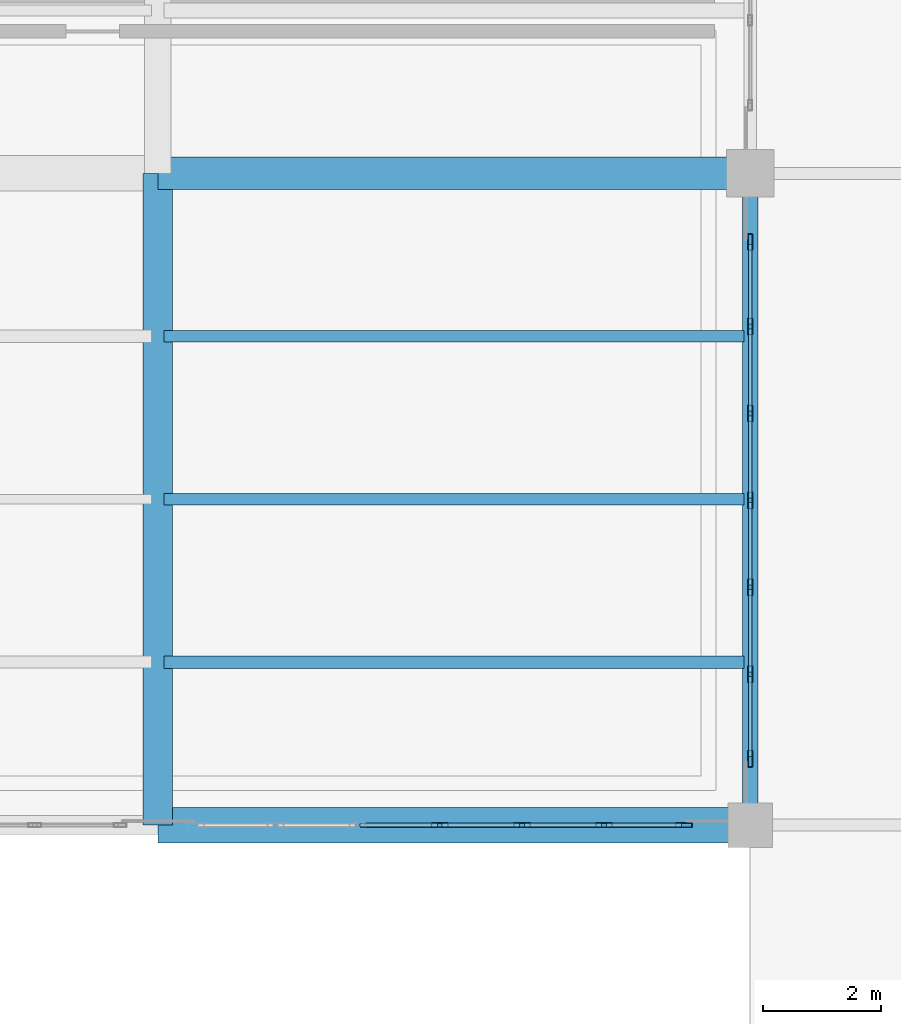
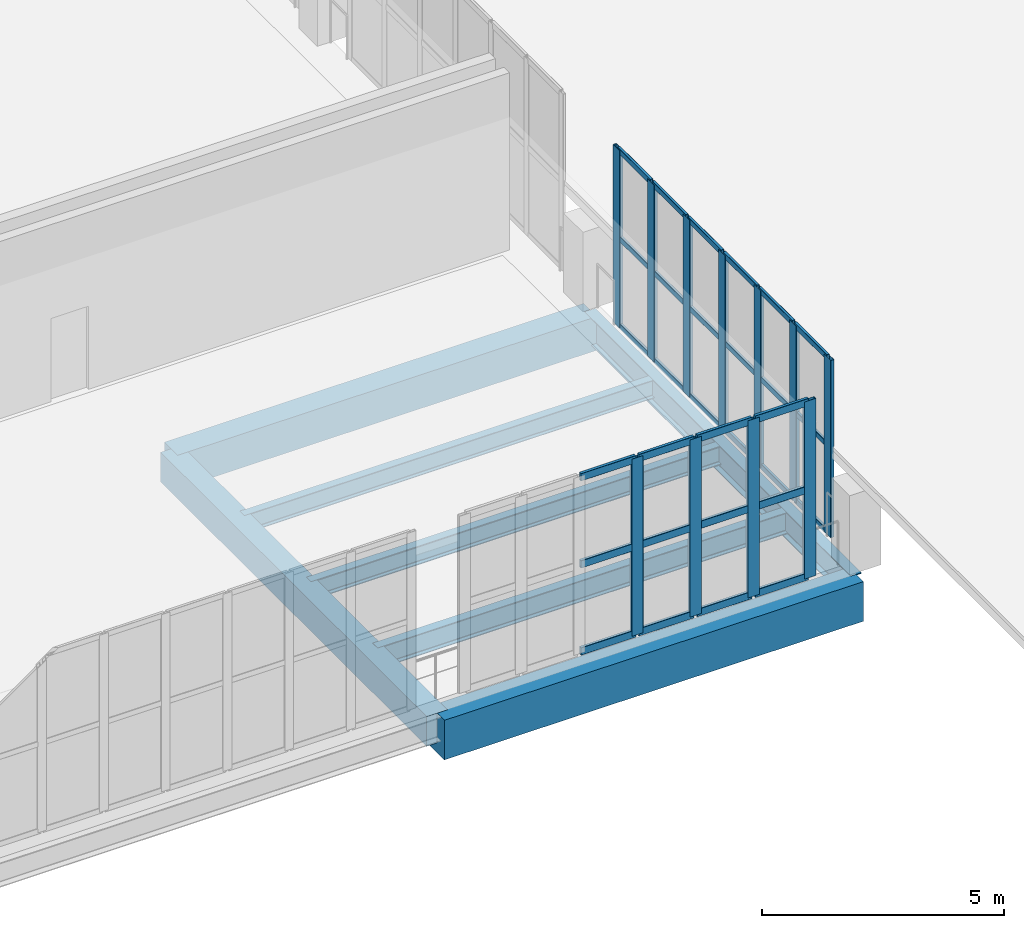
# One storey, part 64 of 136: 41 members, 7 beams, 2 elements without a shape of their own.
"""IFC4 building model written with IfcOpenShell, lengths in metres."""

from ifc_helpers import new_model, si_unit, direction, frame, origin, origin_2d, place, context, subcontext, project, spatial, rectangle, hollow_rectangle, i_section, extrude, material, layer, layer_set, material_profile, profile_set, type_object, element, aggregate, save


model = new_model("IFC4")

# Units and contexts
model_context = context("Model", 3, precision=1e-05, world=origin(), true_north=direction((0.0, 1.0)))
body_context = subcontext(model_context, "Body", "Model", "MODEL_VIEW")
ifc_project = project(units=[si_unit("LENGTHUNIT", "METRE"), si_unit("AREAUNIT", "SQUARE_METRE"), si_unit("VOLUMEUNIT", "CUBIC_METRE"), si_unit("PLANEANGLEUNIT", "RADIAN"), si_unit("MASSUNIT", "GRAM", prefix="KILO")], contexts=[model_context])

# Site, building, storey
site_placement = place(None, origin())
site = spatial("IfcSite", under=ifc_project, at=site_placement, CompositionType="ELEMENT")
building_placement = place(site_placement, origin())
building = spatial("IfcBuilding", under=site, at=building_placement, Name="Brinegate Civic Arena", CompositionType="ELEMENT")
storey_placement = place(building_placement, frame((0.0, 0.0, 5.39990234375)))
storey = spatial("IfcBuildingStorey", under=building, at=storey_placement, Name="L01", CompositionType="ELEMENT", Elevation=5.39990234375)

# Curtain wall, members
ifc_material_1 = material(Name="Marine grade aluminium", Category="aluminium")
ifc_layer = layer(ifc_material_1, 0.18505859375, Name="Marine grade aluminium")
ifc_layer_set = layer_set([ifc_layer], Name="Marine grade aluminium")
curtain_wall_type = type_object("IfcCurtainWallType", Name="CW-WING-GLAZED-03", PredefinedType="USERDEFINED", material=ifc_layer_set)
curtain_wall_1_placement = place(storey_placement, origin())
curtain_wall_1 = element("IfcCurtainWall", 1, at=curtain_wall_1_placement, inside=storey, type_object=curtain_wall_type, Name="Curtain Wall CWA-033", ObjectType="GLAZED CURTAIN WALL", PredefinedType="USERDEFINED")
ifc_material_profile_1 = material_profile(ifc_material_1, hollow_rectangle(XDim=0.080078125, YDim=0.280029296875, WallThickness=0.007080078125, InnerFilletRadius=0.0048828125, OuterFilletRadius=0.010009765625, at=origin_2d()), Name="MUL80X280")
ifc_profile_set_1 = profile_set([ifc_material_profile_1], Name="Marine grade aluminium")
member_type_1 = type_object("IfcMemberType", Name="CW-MULLION-80X280", PredefinedType="MULLION", material=ifc_profile_set_1)
member_1_placement = place(storey_placement, frame((190.0, 21.1201171875, 0.0), z_axis=(0.0, 0.0, 1.0), x_axis=(-1.0, 0.0, 0.0)))
member_1 = element("IfcMember", 2, at=member_1_placement, type_object=member_type_1, Name="CWA-033 mullion 1", PredefinedType="MULLION", context=body_context, shape_type="SweptSolid", body=[
    extrude(hollow_rectangle(XDim=0.080078125, YDim=0.280029296875, WallThickness=0.007080078125, InnerFilletRadius=0.0048828125, OuterFilletRadius=0.010009765625, at=origin_2d()), origin(), (0.0, 0.0, 1.0), 4.47021484375),
])
member_2_placement = place(storey_placement, frame((190.0, 22.54736328125, 0.0), z_axis=(0.0, 0.0, 1.0), x_axis=(-1.0, 0.0, 0.0)))
member_2 = element("IfcMember", 3, at=member_2_placement, type_object=member_type_1, Name="CWA-033 mullion 2", PredefinedType="MULLION", context=body_context, shape_type="SweptSolid", body=[
    extrude(hollow_rectangle(XDim=0.080078125, YDim=0.280029296875, WallThickness=0.007080078125, InnerFilletRadius=0.0048828125, OuterFilletRadius=0.010009765625, at=origin_2d()), origin(), (0.0, 0.0, 1.0), 4.47021484375),
])
member_3_placement = place(storey_placement, frame((190.0, 24.0146484375, 0.0), z_axis=(0.0, 0.0, 1.0), x_axis=(-1.0, 0.0, 0.0)))
member_3 = element("IfcMember", 4, at=member_3_placement, type_object=member_type_1, Name="CWA-033 mullion 3", PredefinedType="MULLION", context=body_context, shape_type="SweptSolid", body=[
    extrude(hollow_rectangle(XDim=0.080078125, YDim=0.280029296875, WallThickness=0.007080078125, InnerFilletRadius=0.0048828125, OuterFilletRadius=0.010009765625, at=origin_2d()), origin(), (0.0, 0.0, 1.0), 4.47021484375),
])
member_4_placement = place(storey_placement, frame((190.0, 25.48193359375, 0.0), z_axis=(0.0, 0.0, 1.0), x_axis=(-1.0, 0.0, 0.0)))
member_4 = element("IfcMember", 5, at=member_4_placement, type_object=member_type_1, Name="CWA-033 mullion 4", PredefinedType="MULLION", context=body_context, shape_type="SweptSolid", body=[
    extrude(hollow_rectangle(XDim=0.080078125, YDim=0.280029296875, WallThickness=0.007080078125, InnerFilletRadius=0.0048828125, OuterFilletRadius=0.010009765625, at=origin_2d()), origin(), (0.0, 0.0, 1.0), 4.47021484375),
])
member_5_placement = place(storey_placement, frame((190.0, 26.94921875, 0.0), z_axis=(0.0, 0.0, 1.0), x_axis=(-1.0, 0.0, 0.0)))
member_5 = element("IfcMember", 6, at=member_5_placement, type_object=member_type_1, Name="CWA-033 mullion 5", PredefinedType="MULLION", context=body_context, shape_type="SweptSolid", body=[
    extrude(hollow_rectangle(XDim=0.080078125, YDim=0.280029296875, WallThickness=0.007080078125, InnerFilletRadius=0.0048828125, OuterFilletRadius=0.010009765625, at=origin_2d()), origin(), (0.0, 0.0, 1.0), 4.47021484375),
])
member_6_placement = place(storey_placement, frame((190.0, 28.416748046875, 0.0), z_axis=(0.0, 0.0, 1.0), x_axis=(-1.0, 0.0, 0.0)))
member_6 = element("IfcMember", 7, at=member_6_placement, type_object=member_type_1, Name="CWA-033 mullion 6", PredefinedType="MULLION", context=body_context, shape_type="SweptSolid", body=[
    extrude(hollow_rectangle(XDim=0.080078125, YDim=0.280029296875, WallThickness=0.007080078125, InnerFilletRadius=0.0048828125, OuterFilletRadius=0.010009765625, at=origin_2d()), origin(), (0.0, 0.0, 1.0), 4.47021484375),
])
member_7_placement = place(storey_placement, frame((190.0, 29.843994140625, 0.0), z_axis=(0.0, 0.0, 1.0), x_axis=(-1.0, 0.0, 0.0)))
member_7 = element("IfcMember", 8, at=member_7_placement, type_object=member_type_1, Name="CWA-033 mullion 7", PredefinedType="MULLION", context=body_context, shape_type="SweptSolid", body=[
    extrude(hollow_rectangle(XDim=0.080078125, YDim=0.280029296875, WallThickness=0.007080078125, InnerFilletRadius=0.0048828125, OuterFilletRadius=0.010009765625, at=origin_2d()), origin(), (0.0, 0.0, 1.0), 4.47021484375),
])

curtain_wall_2_placement = place(storey_placement, origin())
curtain_wall_2 = element("IfcCurtainWall", 9, at=curtain_wall_2_placement, inside=storey, type_object=curtain_wall_type, Name="Curtain Wall CWA-041", ObjectType="GLAZED CURTAIN WALL", PredefinedType="USERDEFINED")
member_8_placement = place(storey_placement, frame((184.760009765625, 20.0, 0.0), z_axis=(0.0, 0.0, 1.0), x_axis=(0.0, 1.0, 0.0)))
member_8 = element("IfcMember", 10, at=member_8_placement, type_object=member_type_1, Name="CWA-041 mullion 4", PredefinedType="MULLION", context=body_context, shape_type="SweptSolid", body=[
    extrude(hollow_rectangle(XDim=0.080078125, YDim=0.280029296875, WallThickness=0.007080078125, InnerFilletRadius=0.0048828125, OuterFilletRadius=0.010009765625, at=origin_2d()), origin(), (0.0, 0.0, 1.0), 4.47021484375),
])
member_9_placement = place(storey_placement, frame((186.146728515625, 20.0, 0.0), z_axis=(0.0, 0.0, 1.0), x_axis=(0.0, 1.0, 0.0)))
member_9 = element("IfcMember", 11, at=member_9_placement, type_object=member_type_1, Name="CWA-041 mullion 5", PredefinedType="MULLION", context=body_context, shape_type="SweptSolid", body=[
    extrude(hollow_rectangle(XDim=0.080078125, YDim=0.280029296875, WallThickness=0.007080078125, InnerFilletRadius=0.0048828125, OuterFilletRadius=0.010009765625, at=origin_2d()), origin(), (0.0, 0.0, 1.0), 4.47021484375),
])
member_10_placement = place(storey_placement, frame((187.533447265625, 20.0, 0.0), z_axis=(0.0, 0.0, 1.0), x_axis=(0.0, 1.0, 0.0)))
member_10 = element("IfcMember", 12, at=member_10_placement, type_object=member_type_1, Name="CWA-041 mullion 6", PredefinedType="MULLION", context=body_context, shape_type="SweptSolid", body=[
    extrude(hollow_rectangle(XDim=0.080078125, YDim=0.280029296875, WallThickness=0.007080078125, InnerFilletRadius=0.0048828125, OuterFilletRadius=0.010009765625, at=origin_2d()), origin(), (0.0, 0.0, 1.0), 4.47021484375),
])
member_11_placement = place(storey_placement, frame((188.8798828125, 20.0, 0.0), z_axis=(0.0, 0.0, 1.0), x_axis=(0.0, 1.0, 0.0)))
member_11 = element("IfcMember", 13, at=member_11_placement, type_object=member_type_1, Name="CWA-041 mullion 7", PredefinedType="MULLION", context=body_context, shape_type="SweptSolid", body=[
    extrude(hollow_rectangle(XDim=0.080078125, YDim=0.280029296875, WallThickness=0.007080078125, InnerFilletRadius=0.0048828125, OuterFilletRadius=0.010009765625, at=origin_2d()), origin(), (0.0, 0.0, 1.0), 4.47021484375),
])

# Member
ifc_material_profile_2 = material_profile(ifc_material_1, hollow_rectangle(XDim=0.06494140625, YDim=0.139892578125, WallThickness=0.0048828125, InnerFilletRadius=0.00390625, OuterFilletRadius=0.008056640625, at=origin_2d()), Name="TRN65X140")
ifc_profile_set_2 = profile_set([ifc_material_profile_2], Name="Marine grade aluminium")
member_type_2 = type_object("IfcMemberType", Name="CW-TRANSOM-65X140", PredefinedType="USERDEFINED", material=ifc_profile_set_2)
member_12_placement = place(storey_placement, frame((190.0, 21.159912109375, 0.03271484375), z_axis=(0.0, 1.0, 0.0), x_axis=(-1.0, 0.0, 0.0)))
member_12 = element("IfcMember", 14, at=member_12_placement, type_object=member_type_2, Name="CWA-033 transom 1.1", ObjectType="TRANSOM", PredefinedType="USERDEFINED", context=body_context, shape_type="SweptSolid", body=[
    extrude(hollow_rectangle(XDim=0.06494140625, YDim=0.139892578125, WallThickness=0.0048828125, InnerFilletRadius=0.00390625, OuterFilletRadius=0.008056640625, at=origin_2d()), origin(), (0.0, 0.0, 1.0), 1.347412109375),
])

member_13_placement = place(storey_placement, frame((190.0, 21.159912109375, 2.235107421875), z_axis=(0.0, 1.0, 0.0), x_axis=(-1.0, 0.0, 0.0)))
member_13 = element("IfcMember", 15, at=member_13_placement, type_object=member_type_2, Name="CWA-033 transom 1.2", ObjectType="TRANSOM", PredefinedType="USERDEFINED", context=body_context, shape_type="SweptSolid", body=[
    extrude(hollow_rectangle(XDim=0.06494140625, YDim=0.139892578125, WallThickness=0.0048828125, InnerFilletRadius=0.00390625, OuterFilletRadius=0.008056640625, at=origin_2d()), origin(), (0.0, 0.0, 1.0), 1.347412109375),
])

member_14_placement = place(storey_placement, frame((190.0, 21.159912109375, 4.4375), z_axis=(0.0, 1.0, 0.0), x_axis=(-1.0, 0.0, 0.0)))
member_14 = element("IfcMember", 16, at=member_14_placement, type_object=member_type_2, Name="CWA-033 transom 1.3", ObjectType="TRANSOM", PredefinedType="USERDEFINED", context=body_context, shape_type="SweptSolid", body=[
    extrude(hollow_rectangle(XDim=0.06494140625, YDim=0.139892578125, WallThickness=0.0048828125, InnerFilletRadius=0.00390625, OuterFilletRadius=0.008056640625, at=origin_2d()), origin(), (0.0, 0.0, 1.0), 1.347412109375),
])

member_15_placement = place(storey_placement, frame((190.0, 22.58740234375, 0.03271484375), z_axis=(0.0, 1.0, 0.0), x_axis=(-1.0, 0.0, 0.0)))
member_15 = element("IfcMember", 17, at=member_15_placement, type_object=member_type_2, Name="CWA-033 transom 2.1", ObjectType="TRANSOM", PredefinedType="USERDEFINED", context=body_context, shape_type="SweptSolid", body=[
    extrude(hollow_rectangle(XDim=0.06494140625, YDim=0.139892578125, WallThickness=0.0048828125, InnerFilletRadius=0.00390625, OuterFilletRadius=0.008056640625, at=origin_2d()), origin(), (0.0, 0.0, 1.0), 1.38720703125),
])

member_16_placement = place(storey_placement, frame((190.0, 22.58740234375, 2.235107421875), z_axis=(0.0, 1.0, 0.0), x_axis=(-1.0, 0.0, 0.0)))
member_16 = element("IfcMember", 18, at=member_16_placement, type_object=member_type_2, Name="CWA-033 transom 2.2", ObjectType="TRANSOM", PredefinedType="USERDEFINED", context=body_context, shape_type="SweptSolid", body=[
    extrude(hollow_rectangle(XDim=0.06494140625, YDim=0.139892578125, WallThickness=0.0048828125, InnerFilletRadius=0.00390625, OuterFilletRadius=0.008056640625, at=origin_2d()), origin(), (0.0, 0.0, 1.0), 1.38720703125),
])

member_17_placement = place(storey_placement, frame((190.0, 22.58740234375, 4.4375), z_axis=(0.0, 1.0, 0.0), x_axis=(-1.0, 0.0, 0.0)))
member_17 = element("IfcMember", 19, at=member_17_placement, type_object=member_type_2, Name="CWA-033 transom 2.3", ObjectType="TRANSOM", PredefinedType="USERDEFINED", context=body_context, shape_type="SweptSolid", body=[
    extrude(hollow_rectangle(XDim=0.06494140625, YDim=0.139892578125, WallThickness=0.0048828125, InnerFilletRadius=0.00390625, OuterFilletRadius=0.008056640625, at=origin_2d()), origin(), (0.0, 0.0, 1.0), 1.38720703125),
])

member_18_placement = place(storey_placement, frame((190.0, 24.0546875, 0.03271484375), z_axis=(0.0, 1.0, 0.0), x_axis=(-1.0, 0.0, 0.0)))
member_18 = element("IfcMember", 20, at=member_18_placement, type_object=member_type_2, Name="CWA-033 transom 3.1", ObjectType="TRANSOM", PredefinedType="USERDEFINED", context=body_context, shape_type="SweptSolid", body=[
    extrude(hollow_rectangle(XDim=0.06494140625, YDim=0.139892578125, WallThickness=0.0048828125, InnerFilletRadius=0.00390625, OuterFilletRadius=0.008056640625, at=origin_2d()), origin(), (0.0, 0.0, 1.0), 1.38720703125),
])

member_19_placement = place(storey_placement, frame((190.0, 24.0546875, 2.235107421875), z_axis=(0.0, 1.0, 0.0), x_axis=(-1.0, 0.0, 0.0)))
member_19 = element("IfcMember", 21, at=member_19_placement, type_object=member_type_2, Name="CWA-033 transom 3.2", ObjectType="TRANSOM", PredefinedType="USERDEFINED", context=body_context, shape_type="SweptSolid", body=[
    extrude(hollow_rectangle(XDim=0.06494140625, YDim=0.139892578125, WallThickness=0.0048828125, InnerFilletRadius=0.00390625, OuterFilletRadius=0.008056640625, at=origin_2d()), origin(), (0.0, 0.0, 1.0), 1.38720703125),
])

member_20_placement = place(storey_placement, frame((190.0, 24.0546875, 4.4375), z_axis=(0.0, 1.0, 0.0), x_axis=(-1.0, 0.0, 0.0)))
member_20 = element("IfcMember", 22, at=member_20_placement, type_object=member_type_2, Name="CWA-033 transom 3.3", ObjectType="TRANSOM", PredefinedType="USERDEFINED", context=body_context, shape_type="SweptSolid", body=[
    extrude(hollow_rectangle(XDim=0.06494140625, YDim=0.139892578125, WallThickness=0.0048828125, InnerFilletRadius=0.00390625, OuterFilletRadius=0.008056640625, at=origin_2d()), origin(), (0.0, 0.0, 1.0), 1.38720703125),
])

member_21_placement = place(storey_placement, frame((190.0, 25.52197265625, 0.03271484375), z_axis=(0.0, 1.0, 0.0), x_axis=(-1.0, 0.0, 0.0)))
member_21 = element("IfcMember", 23, at=member_21_placement, type_object=member_type_2, Name="CWA-033 transom 4.1", ObjectType="TRANSOM", PredefinedType="USERDEFINED", context=body_context, shape_type="SweptSolid", body=[
    extrude(hollow_rectangle(XDim=0.06494140625, YDim=0.139892578125, WallThickness=0.0048828125, InnerFilletRadius=0.00390625, OuterFilletRadius=0.008056640625, at=origin_2d()), origin(), (0.0, 0.0, 1.0), 1.387451171875),
])

member_22_placement = place(storey_placement, frame((190.0, 25.52197265625, 2.235107421875), z_axis=(0.0, 1.0, 0.0), x_axis=(-1.0, 0.0, 0.0)))
member_22 = element("IfcMember", 24, at=member_22_placement, type_object=member_type_2, Name="CWA-033 transom 4.2", ObjectType="TRANSOM", PredefinedType="USERDEFINED", context=body_context, shape_type="SweptSolid", body=[
    extrude(hollow_rectangle(XDim=0.06494140625, YDim=0.139892578125, WallThickness=0.0048828125, InnerFilletRadius=0.00390625, OuterFilletRadius=0.008056640625, at=origin_2d()), origin(), (0.0, 0.0, 1.0), 1.387451171875),
])

member_23_placement = place(storey_placement, frame((190.0, 25.52197265625, 4.4375), z_axis=(0.0, 1.0, 0.0), x_axis=(-1.0, 0.0, 0.0)))
member_23 = element("IfcMember", 25, at=member_23_placement, type_object=member_type_2, Name="CWA-033 transom 4.3", ObjectType="TRANSOM", PredefinedType="USERDEFINED", context=body_context, shape_type="SweptSolid", body=[
    extrude(hollow_rectangle(XDim=0.06494140625, YDim=0.139892578125, WallThickness=0.0048828125, InnerFilletRadius=0.00390625, OuterFilletRadius=0.008056640625, at=origin_2d()), origin(), (0.0, 0.0, 1.0), 1.387451171875),
])

member_24_placement = place(storey_placement, frame((190.0, 26.9892578125, 0.03271484375), z_axis=(0.0, 1.0, 0.0), x_axis=(-1.0, 0.0, 0.0)))
member_24 = element("IfcMember", 26, at=member_24_placement, type_object=member_type_2, Name="CWA-033 transom 5.1", ObjectType="TRANSOM", PredefinedType="USERDEFINED", context=body_context, shape_type="SweptSolid", body=[
    extrude(hollow_rectangle(XDim=0.06494140625, YDim=0.139892578125, WallThickness=0.0048828125, InnerFilletRadius=0.00390625, OuterFilletRadius=0.008056640625, at=origin_2d()), origin(), (0.0, 0.0, 1.0), 1.387451171875),
])

member_25_placement = place(storey_placement, frame((190.0, 26.9892578125, 2.235107421875), z_axis=(0.0, 1.0, 0.0), x_axis=(-1.0, 0.0, 0.0)))
member_25 = element("IfcMember", 27, at=member_25_placement, type_object=member_type_2, Name="CWA-033 transom 5.2", ObjectType="TRANSOM", PredefinedType="USERDEFINED", context=body_context, shape_type="SweptSolid", body=[
    extrude(hollow_rectangle(XDim=0.06494140625, YDim=0.139892578125, WallThickness=0.0048828125, InnerFilletRadius=0.00390625, OuterFilletRadius=0.008056640625, at=origin_2d()), origin(), (0.0, 0.0, 1.0), 1.387451171875),
])

member_26_placement = place(storey_placement, frame((190.0, 26.9892578125, 4.4375), z_axis=(0.0, 1.0, 0.0), x_axis=(-1.0, 0.0, 0.0)))
member_26 = element("IfcMember", 28, at=member_26_placement, type_object=member_type_2, Name="CWA-033 transom 5.3", ObjectType="TRANSOM", PredefinedType="USERDEFINED", context=body_context, shape_type="SweptSolid", body=[
    extrude(hollow_rectangle(XDim=0.06494140625, YDim=0.139892578125, WallThickness=0.0048828125, InnerFilletRadius=0.00390625, OuterFilletRadius=0.008056640625, at=origin_2d()), origin(), (0.0, 0.0, 1.0), 1.387451171875),
])

member_27_placement = place(storey_placement, frame((190.0, 28.456787109375, 0.03271484375), z_axis=(0.0, 1.0, 0.0), x_axis=(-1.0, 0.0, 0.0)))
member_27 = element("IfcMember", 29, at=member_27_placement, type_object=member_type_2, Name="CWA-033 transom 6.1", ObjectType="TRANSOM", PredefinedType="USERDEFINED", context=body_context, shape_type="SweptSolid", body=[
    extrude(hollow_rectangle(XDim=0.06494140625, YDim=0.139892578125, WallThickness=0.0048828125, InnerFilletRadius=0.00390625, OuterFilletRadius=0.008056640625, at=origin_2d()), origin(), (0.0, 0.0, 1.0), 1.34716796875),
])

member_28_placement = place(storey_placement, frame((190.0, 28.456787109375, 2.235107421875), z_axis=(0.0, 1.0, 0.0), x_axis=(-1.0, 0.0, 0.0)))
member_28 = element("IfcMember", 30, at=member_28_placement, type_object=member_type_2, Name="CWA-033 transom 6.2", ObjectType="TRANSOM", PredefinedType="USERDEFINED", context=body_context, shape_type="SweptSolid", body=[
    extrude(hollow_rectangle(XDim=0.06494140625, YDim=0.139892578125, WallThickness=0.0048828125, InnerFilletRadius=0.00390625, OuterFilletRadius=0.008056640625, at=origin_2d()), origin(), (0.0, 0.0, 1.0), 1.34716796875),
])

member_29_placement = place(storey_placement, frame((190.0, 28.456787109375, 4.4375), z_axis=(0.0, 1.0, 0.0), x_axis=(-1.0, 0.0, 0.0)))
member_29 = element("IfcMember", 31, at=member_29_placement, type_object=member_type_2, Name="CWA-033 transom 6.3", ObjectType="TRANSOM", PredefinedType="USERDEFINED", context=body_context, shape_type="SweptSolid", body=[
    extrude(hollow_rectangle(XDim=0.06494140625, YDim=0.139892578125, WallThickness=0.0048828125, InnerFilletRadius=0.00390625, OuterFilletRadius=0.008056640625, at=origin_2d()), origin(), (0.0, 0.0, 1.0), 1.34716796875),
])

aggregate(curtain_wall_1, [member_1, member_2, member_3, member_4, member_5, member_6, member_7, member_12, member_13, member_14, member_15, member_16, member_17, member_18, member_19, member_20, member_21, member_22, member_23, member_24, member_25, member_26, member_27, member_28, member_29])

ifc_material_profile_3 = material_profile(ifc_material_1, hollow_rectangle(XDim=0.074951171875, YDim=0.18994140625, WallThickness=0.006103515625, InnerFilletRadius=0.00390625, OuterFilletRadius=0.008056640625, at=origin_2d()), Name="TRN75X190")
ifc_profile_set_3 = profile_set([ifc_material_profile_3], Name="Marine grade aluminium")
member_type_3 = type_object("IfcMemberType", Name="CW-TRANSOM-75X190", PredefinedType="USERDEFINED", material=ifc_profile_set_3)
member_30_placement = place(storey_placement, frame((183.413330078125, 20.0, 0.03759765625), z_axis=(1.0, 0.0, 0.0), x_axis=(0.0, 1.0, 0.0)))
member_30 = element("IfcMember", 32, at=member_30_placement, type_object=member_type_3, Name="CWA-041 transom 3.1", ObjectType="TRANSOM", PredefinedType="USERDEFINED", context=body_context, shape_type="SweptSolid", body=[
    extrude(hollow_rectangle(XDim=0.074951171875, YDim=0.18994140625, WallThickness=0.006103515625, InnerFilletRadius=0.00390625, OuterFilletRadius=0.008056640625, at=origin_2d()), origin(), (0.0, 0.0, 1.0), 1.306640625),
])

member_31_placement = place(storey_placement, frame((183.413330078125, 20.0, 2.235107421875), z_axis=(1.0, 0.0, 0.0), x_axis=(0.0, 1.0, 0.0)))
member_31 = element("IfcMember", 33, at=member_31_placement, type_object=member_type_3, Name="CWA-041 transom 3.2", ObjectType="TRANSOM", PredefinedType="USERDEFINED", context=body_context, shape_type="SweptSolid", body=[
    extrude(hollow_rectangle(XDim=0.074951171875, YDim=0.18994140625, WallThickness=0.006103515625, InnerFilletRadius=0.00390625, OuterFilletRadius=0.008056640625, at=origin_2d()), origin(), (0.0, 0.0, 1.0), 1.306640625),
])

member_32_placement = place(storey_placement, frame((183.413330078125, 20.0, 4.4326171875), z_axis=(1.0, 0.0, 0.0), x_axis=(0.0, 1.0, 0.0)))
member_32 = element("IfcMember", 34, at=member_32_placement, type_object=member_type_3, Name="CWA-041 transom 3.3", ObjectType="TRANSOM", PredefinedType="USERDEFINED", context=body_context, shape_type="SweptSolid", body=[
    extrude(hollow_rectangle(XDim=0.074951171875, YDim=0.18994140625, WallThickness=0.006103515625, InnerFilletRadius=0.00390625, OuterFilletRadius=0.008056640625, at=origin_2d()), origin(), (0.0, 0.0, 1.0), 1.306640625),
])

member_33_placement = place(storey_placement, frame((184.800048828125, 20.0, 0.03759765625), z_axis=(1.0, 0.0, 0.0), x_axis=(0.0, 1.0, 0.0)))
member_33 = element("IfcMember", 35, at=member_33_placement, type_object=member_type_3, Name="CWA-041 transom 4.1", ObjectType="TRANSOM", PredefinedType="USERDEFINED", context=body_context, shape_type="SweptSolid", body=[
    extrude(hollow_rectangle(XDim=0.074951171875, YDim=0.18994140625, WallThickness=0.006103515625, InnerFilletRadius=0.00390625, OuterFilletRadius=0.008056640625, at=origin_2d()), origin(), (0.0, 0.0, 1.0), 1.306640625),
])

member_34_placement = place(storey_placement, frame((184.800048828125, 20.0, 2.235107421875), z_axis=(1.0, 0.0, 0.0), x_axis=(0.0, 1.0, 0.0)))
member_34 = element("IfcMember", 36, at=member_34_placement, type_object=member_type_3, Name="CWA-041 transom 4.2", ObjectType="TRANSOM", PredefinedType="USERDEFINED", context=body_context, shape_type="SweptSolid", body=[
    extrude(hollow_rectangle(XDim=0.074951171875, YDim=0.18994140625, WallThickness=0.006103515625, InnerFilletRadius=0.00390625, OuterFilletRadius=0.008056640625, at=origin_2d()), origin(), (0.0, 0.0, 1.0), 1.306640625),
])

member_35_placement = place(storey_placement, frame((184.800048828125, 20.0, 4.4326171875), z_axis=(1.0, 0.0, 0.0), x_axis=(0.0, 1.0, 0.0)))
member_35 = element("IfcMember", 37, at=member_35_placement, type_object=member_type_3, Name="CWA-041 transom 4.3", ObjectType="TRANSOM", PredefinedType="USERDEFINED", context=body_context, shape_type="SweptSolid", body=[
    extrude(hollow_rectangle(XDim=0.074951171875, YDim=0.18994140625, WallThickness=0.006103515625, InnerFilletRadius=0.00390625, OuterFilletRadius=0.008056640625, at=origin_2d()), origin(), (0.0, 0.0, 1.0), 1.306640625),
])

member_36_placement = place(storey_placement, frame((186.186767578125, 20.0, 0.03759765625), z_axis=(1.0, 0.0, 0.0), x_axis=(0.0, 1.0, 0.0)))
member_36 = element("IfcMember", 38, at=member_36_placement, type_object=member_type_3, Name="CWA-041 transom 5.1", ObjectType="TRANSOM", PredefinedType="USERDEFINED", context=body_context, shape_type="SweptSolid", body=[
    extrude(hollow_rectangle(XDim=0.074951171875, YDim=0.18994140625, WallThickness=0.006103515625, InnerFilletRadius=0.00390625, OuterFilletRadius=0.008056640625, at=origin_2d()), origin(), (0.0, 0.0, 1.0), 1.306640625),
])

member_37_placement = place(storey_placement, frame((186.186767578125, 20.0, 2.235107421875), z_axis=(1.0, 0.0, 0.0), x_axis=(0.0, 1.0, 0.0)))
member_37 = element("IfcMember", 39, at=member_37_placement, type_object=member_type_3, Name="CWA-041 transom 5.2", ObjectType="TRANSOM", PredefinedType="USERDEFINED", context=body_context, shape_type="SweptSolid", body=[
    extrude(hollow_rectangle(XDim=0.074951171875, YDim=0.18994140625, WallThickness=0.006103515625, InnerFilletRadius=0.00390625, OuterFilletRadius=0.008056640625, at=origin_2d()), origin(), (0.0, 0.0, 1.0), 1.306640625),
])

member_38_placement = place(storey_placement, frame((186.186767578125, 20.0, 4.4326171875), z_axis=(1.0, 0.0, 0.0), x_axis=(0.0, 1.0, 0.0)))
member_38 = element("IfcMember", 40, at=member_38_placement, type_object=member_type_3, Name="CWA-041 transom 5.3", ObjectType="TRANSOM", PredefinedType="USERDEFINED", context=body_context, shape_type="SweptSolid", body=[
    extrude(hollow_rectangle(XDim=0.074951171875, YDim=0.18994140625, WallThickness=0.006103515625, InnerFilletRadius=0.00390625, OuterFilletRadius=0.008056640625, at=origin_2d()), origin(), (0.0, 0.0, 1.0), 1.306640625),
])

member_39_placement = place(storey_placement, frame((187.5732421875, 20.0, 0.03759765625), z_axis=(1.0, 0.0, 0.0), x_axis=(0.0, 1.0, 0.0)))
member_39 = element("IfcMember", 41, at=member_39_placement, type_object=member_type_3, Name="CWA-041 transom 6.1", ObjectType="TRANSOM", PredefinedType="USERDEFINED", context=body_context, shape_type="SweptSolid", body=[
    extrude(hollow_rectangle(XDim=0.074951171875, YDim=0.18994140625, WallThickness=0.006103515625, InnerFilletRadius=0.00390625, OuterFilletRadius=0.008056640625, at=origin_2d()), origin(), (0.0, 0.0, 1.0), 1.266845703125),
])

member_40_placement = place(storey_placement, frame((187.5732421875, 20.0, 2.235107421875), z_axis=(1.0, 0.0, 0.0), x_axis=(0.0, 1.0, 0.0)))
member_40 = element("IfcMember", 42, at=member_40_placement, type_object=member_type_3, Name="CWA-041 transom 6.2", ObjectType="TRANSOM", PredefinedType="USERDEFINED", context=body_context, shape_type="SweptSolid", body=[
    extrude(hollow_rectangle(XDim=0.074951171875, YDim=0.18994140625, WallThickness=0.006103515625, InnerFilletRadius=0.00390625, OuterFilletRadius=0.008056640625, at=origin_2d()), origin(), (0.0, 0.0, 1.0), 1.266845703125),
])

member_41_placement = place(storey_placement, frame((187.5732421875, 20.0, 4.4326171875), z_axis=(1.0, 0.0, 0.0), x_axis=(0.0, 1.0, 0.0)))
member_41 = element("IfcMember", 43, at=member_41_placement, type_object=member_type_3, Name="CWA-041 transom 6.3", ObjectType="TRANSOM", PredefinedType="USERDEFINED", context=body_context, shape_type="SweptSolid", body=[
    extrude(hollow_rectangle(XDim=0.074951171875, YDim=0.18994140625, WallThickness=0.006103515625, InnerFilletRadius=0.00390625, OuterFilletRadius=0.008056640625, at=origin_2d()), origin(), (0.0, 0.0, 1.0), 1.266845703125),
])

aggregate(curtain_wall_2, [member_8, member_9, member_10, member_11, member_30, member_31, member_32, member_33, member_34, member_35, member_36, member_37, member_38, member_39, member_40, member_41])

# Beams
ifc_material_2 = material(Name="Steel S355", Category="steel")
ifc_material_profile_4 = material_profile(ifc_material_2, i_section(OverallWidth=0.195068359375, OverallDepth=0.472900390625, WebThickness=0.011962890625, FlangeThickness=0.02197265625, FilletRadius=0.014892578125, at=origin_2d()), Name="W460X113")
ifc_profile_set_4 = profile_set([ifc_material_profile_4], Name="Steel S355")
beam_type_1 = type_object("IfcBeamType", Name="JOIST-W460X113", PredefinedType="JOIST", material=ifc_profile_set_4)
beam_1_placement = place(storey_placement, frame((180.10595703125, 25.5, -0.575927734375), z_axis=(1.0, 0.0, 0.0), x_axis=(0.0, 1.0, 0.0)))
element("IfcBeam", 44, at=beam_1_placement, inside=storey, type_object=beam_type_1, Name="Secondary Joist BM-L01-JX-15-02-2", PredefinedType="JOIST", context=body_context, shape_type="SweptSolid", body=[
    extrude(i_section(OverallWidth=0.195068359375, OverallDepth=0.472900390625, WebThickness=0.011962890625, FlangeThickness=0.02197265625, FilletRadius=0.014892578125, at=origin_2d()), origin(), (0.0, 0.0, 1.0), 9.7880859375),
])
ifc_material_profile_5 = material_profile(ifc_material_2, i_section(OverallWidth=0.19091796875, OverallDepth=0.4599609375, WebThickness=0.010009765625, FlangeThickness=0.01611328125, FilletRadius=0.014892578125, at=origin_2d()), Name="W460X82")
ifc_profile_set_5 = profile_set([ifc_material_profile_5], Name="Steel S355")
beam_type_2 = type_object("IfcBeamType", Name="JOIST-W460X82", PredefinedType="JOIST", material=ifc_profile_set_5)
beam_2_placement = place(storey_placement, frame((180.10595703125, 28.25, -0.56982421875), z_axis=(1.0, 0.0, 0.0), x_axis=(0.0, 1.0, 0.0)))
element("IfcBeam", 45, at=beam_2_placement, inside=storey, type_object=beam_type_2, Name="Secondary Joist BM-L01-JX-15-02-3", PredefinedType="JOIST", context=body_context, shape_type="SweptSolid", body=[
    extrude(i_section(OverallWidth=0.19091796875, OverallDepth=0.4599609375, WebThickness=0.010009765625, FlangeThickness=0.01611328125, FilletRadius=0.014892578125, at=origin_2d()), origin(), (0.0, 0.0, 1.0), 9.7880859375),
])
ifc_material_profile_6 = material_profile(ifc_material_2, i_section(OverallWidth=0.2109375, OverallDepth=0.5390625, WebThickness=0.011962890625, FlangeThickness=0.01904296875, FilletRadius=0.01611328125, at=origin_2d()), Name="W530X109")
ifc_profile_set_6 = profile_set([ifc_material_profile_6], Name="Steel S355")
beam_type_3 = type_object("IfcBeamType", Name="JOIST-W530X109", PredefinedType="JOIST", material=ifc_profile_set_6)
beam_3_placement = place(storey_placement, frame((180.10595703125, 22.75, -0.60888671875), z_axis=(1.0, 0.0, 0.0), x_axis=(0.0, 1.0, 0.0)))
element("IfcBeam", 46, at=beam_3_placement, inside=storey, type_object=beam_type_3, Name="Secondary Joist BM-L01-JX-15-02-1", PredefinedType="JOIST", context=body_context, shape_type="SweptSolid", body=[
    extrude(i_section(OverallWidth=0.2109375, OverallDepth=0.5390625, WebThickness=0.011962890625, FlangeThickness=0.01904296875, FilletRadius=0.01611328125, at=origin_2d()), origin(), (0.0, 0.0, 1.0), 9.7880859375),
])
ifc_material_3 = material(Name="Concrete C50/60", Category="concrete")
ifc_material_profile_7 = material_profile(ifc_material_3, rectangle(XDim=0.5, YDim=0.75, at=origin_2d()), Name="RCB500X750")
ifc_profile_set_7 = profile_set([ifc_material_profile_7], Name="Concrete C50/60")
beam_type_4 = type_object("IfcBeamType", Name="RCG-500X750", PredefinedType="BEAM", material=ifc_profile_set_7)
beam_4_placement = place(storey_placement, frame((180.0, 20.0, -0.71484375), z_axis=(0.0, 1.0, 0.0), x_axis=(-1.0, 0.0, 0.0)))
element("IfcBeam", 47, at=beam_4_placement, inside=storey, type_object=beam_type_4, Name="Floor Girder BM-L01-GY-15-02", PredefinedType="BEAM", context=body_context, shape_type="SweptSolid", body=[
    extrude(rectangle(XDim=0.5, YDim=0.75, at=origin_2d()), origin(), (0.0, 0.0, 1.0), 11.0),
])
ifc_material_profile_8 = material_profile(ifc_material_3, rectangle(XDim=0.550048828125, YDim=0.85009765625, at=origin_2d()), Name="RCB550X850")
ifc_profile_set_8 = profile_set([ifc_material_profile_8], Name="Concrete C50/60")
beam_type_5 = type_object("IfcBeamType", Name="RCG-550X850", PredefinedType="BEAM", material=ifc_profile_set_8)
beam_5_placement = place(storey_placement, frame((180.0, 31.0, -0.764892578125), z_axis=(1.0, 0.0, 0.0), x_axis=(0.0, 1.0, 0.0)))
element("IfcBeam", 48, at=beam_5_placement, inside=storey, type_object=beam_type_5, Name="Floor Girder BM-L01-GX-15-03", PredefinedType="BEAM", context=body_context, shape_type="SweptSolid", body=[
    extrude(rectangle(XDim=0.550048828125, YDim=0.85009765625, at=origin_2d()), origin(), (0.0, 0.0, 1.0), 10.0),
])
ifc_material_profile_9 = material_profile(ifc_material_3, rectangle(XDim=0.60009765625, YDim=1.0, at=origin_2d()), Name="RCB600X1000")
ifc_profile_set_9 = profile_set([ifc_material_profile_9], Name="Concrete C50/60")
beam_type_6 = type_object("IfcBeamType", Name="RCG-600X1000", PredefinedType="BEAM", material=ifc_profile_set_9)
beam_6_placement = place(storey_placement, frame((180.0, 20.0, -0.83984375), z_axis=(1.0, 0.0, 0.0), x_axis=(0.0, 1.0, 0.0)))
element("IfcBeam", 49, at=beam_6_placement, inside=storey, type_object=beam_type_6, Name="Floor Girder BM-L01-GX-15-02", PredefinedType="BEAM", context=body_context, shape_type="SweptSolid", body=[
    extrude(rectangle(XDim=0.60009765625, YDim=1.0, at=origin_2d()), origin(), (0.0, 0.0, 1.0), 10.0),
])
ifc_material_profile_10 = material_profile(ifc_material_2, i_section(OverallWidth=0.256103515625, OverallDepth=0.693115234375, WebThickness=0.014892578125, FlangeThickness=0.02392578125, FilletRadius=0.01806640625, at=origin_2d()), Name="W690X170")
ifc_profile_set_10 = profile_set([ifc_material_profile_10], Name="Steel S355")
beam_type_7 = type_object("IfcBeamType", Name="SPANDREL-W690X170", PredefinedType="SPANDREL", material=ifc_profile_set_10)
beam_7_placement = place(storey_placement, frame((190.0, 20.0, -0.685791015625), z_axis=(0.0, 1.0, 0.0), x_axis=(-1.0, 0.0, 0.0)))
element("IfcBeam", 50, at=beam_7_placement, inside=storey, type_object=beam_type_7, Name="Floor Girder BM-L01-GY-16-02", PredefinedType="SPANDREL", context=body_context, shape_type="SweptSolid", body=[
    extrude(i_section(OverallWidth=0.256103515625, OverallDepth=0.693115234375, WebThickness=0.014892578125, FlangeThickness=0.02392578125, FilletRadius=0.01806640625, at=origin_2d()), origin(), (0.0, 0.0, 1.0), 11.0),
])

save(model, "model.ifc")
